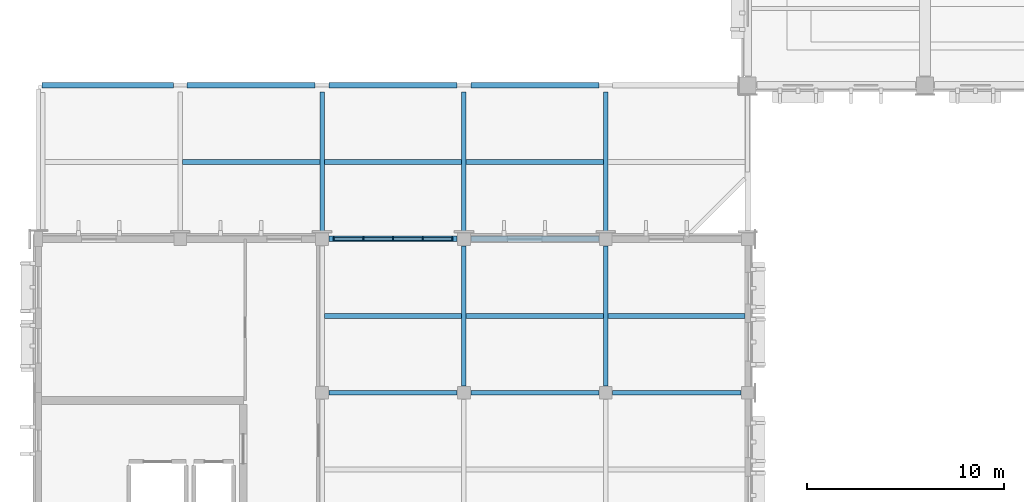
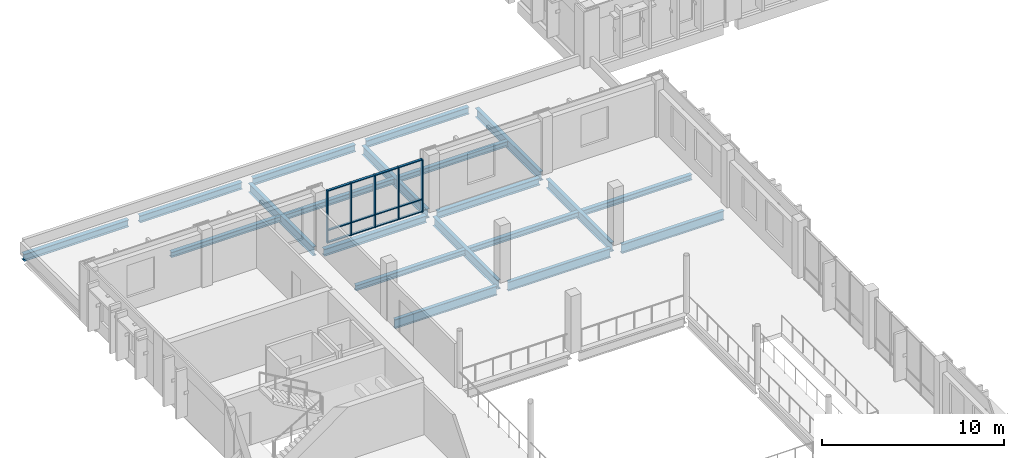
# One storey, part 27 of 85: 20 beams, 17 members, 1 element without a shape of its own.
"""IFC4 building model written with IfcOpenShell, lengths in metres."""

from ifc_helpers import new_model, si_unit, direction, frame, origin, origin_2d, place, context, subcontext, project, spatial, rectangle, i_section, extrude, material, material_profile, profile_set, type_object, element, aggregate, save


model = new_model("IFC4")

# Units and contexts
model_context = context("Model", 3, precision=1e-05, world=origin(), true_north=direction((0.0, 1.0)))
body_context = subcontext(model_context, "Body", "Model", "MODEL_VIEW")
ifc_project = project(units=[si_unit("LENGTHUNIT", "METRE"), si_unit("AREAUNIT", "SQUARE_METRE"), si_unit("VOLUMEUNIT", "CUBIC_METRE"), si_unit("PLANEANGLEUNIT", "RADIAN"), si_unit("MASSUNIT", "GRAM", prefix="KILO")], contexts=[model_context])

# Site, building, storey
site_placement = place(None, origin())
site = spatial("IfcSite", under=ifc_project, at=site_placement, CompositionType="ELEMENT")
building_placement = place(site_placement, origin())
building = spatial("IfcBuilding", under=site, at=building_placement, Name="Vervanel Yard Central Library", CompositionType="ELEMENT")
storey_placement = place(building_placement, frame((0.0, 0.0, 5.10009765625)))
storey = spatial("IfcBuildingStorey", under=building, at=storey_placement, Name="L01", CompositionType="ELEMENT", Elevation=5.10009765625)

# Curtain wall, members
ifc_material_1 = material(Name="Thermally broken anodized aluminium 6063-T6", Category="aluminium")
curtain_wall_type = type_object("IfcCurtainWallType", Name="Atrium Courtyard Curtain Wall", PredefinedType="NOTDEFINED", material=ifc_material_1)
curtain_wall_placement = place(storey_placement, origin())
curtain_wall = element("IfcCurtainWall", 1, at=curtain_wall_placement, inside=storey, type_object=curtain_wall_type, Name="L01 Atrium Courtyard Curtain Wall CWR-L01-032", PredefinedType="NOTDEFINED")
ifc_material_profile_1 = material_profile(ifc_material_1, rectangle(XDim=0.06494140625, YDim=0.18994140625, at=origin_2d()), Name="ALU 65x190", Category="aluminium")
ifc_profile_set_1 = profile_set([ifc_material_profile_1], Name="Thermally broken anodized aluminium 6063-T6")
member_type_1 = type_object("IfcMemberType", Name="Curtain Wall Primary Mullion 65x190", PredefinedType="MULLION", material=ifc_profile_set_1)
member_1_placement = place(storey_placement, frame((14.992431640625, 74.39990234375, 0.0), z_axis=(0.0, 0.0, 1.0), x_axis=(1.0, 0.0, 0.0)))
member_1 = element("IfcMember", 2, at=member_1_placement, type_object=member_type_1, Name="CWR-L01-032 Mullion 1", PredefinedType="MULLION", context=body_context, shape_type="SweptSolid", body=[
    extrude(rectangle(XDim=0.06494140625, YDim=0.18994140625, at=origin_2d()), origin(), (0.0, 0.0, 1.0), 3.52978515625),
])
member_2_placement = place(storey_placement, frame((16.496337890625, 74.39990234375, 0.0), z_axis=(0.0, 0.0, 1.0), x_axis=(1.0, 0.0, 0.0)))
member_2 = element("IfcMember", 3, at=member_2_placement, type_object=member_type_1, Name="CWR-L01-032 Mullion 2", PredefinedType="MULLION", context=body_context, shape_type="SweptSolid", body=[
    extrude(rectangle(XDim=0.06494140625, YDim=0.18994140625, at=origin_2d()), origin(), (0.0, 0.0, 1.0), 3.52978515625),
])
member_3_placement = place(storey_placement, frame((18.0, 74.39990234375, 0.0), z_axis=(0.0, 0.0, 1.0), x_axis=(1.0, 0.0, 0.0)))
member_3 = element("IfcMember", 4, at=member_3_placement, type_object=member_type_1, Name="CWR-L01-032 Mullion 3", PredefinedType="MULLION", context=body_context, shape_type="SweptSolid", body=[
    extrude(rectangle(XDim=0.06494140625, YDim=0.18994140625, at=origin_2d()), origin(), (0.0, 0.0, 1.0), 3.52978515625),
])
member_4_placement = place(storey_placement, frame((19.503662109375, 74.39990234375, 0.0), z_axis=(0.0, 0.0, 1.0), x_axis=(1.0, 0.0, 0.0)))
member_4 = element("IfcMember", 5, at=member_4_placement, type_object=member_type_1, Name="CWR-L01-032 Mullion 4", PredefinedType="MULLION", context=body_context, shape_type="SweptSolid", body=[
    extrude(rectangle(XDim=0.06494140625, YDim=0.18994140625, at=origin_2d()), origin(), (0.0, 0.0, 1.0), 3.52978515625),
])
member_5_placement = place(storey_placement, frame((21.007568359375, 74.39990234375, 0.0), z_axis=(0.0, 0.0, 1.0), x_axis=(1.0, 0.0, 0.0)))
member_5 = element("IfcMember", 6, at=member_5_placement, type_object=member_type_1, Name="CWR-L01-032 Mullion 5", PredefinedType="MULLION", context=body_context, shape_type="SweptSolid", body=[
    extrude(rectangle(XDim=0.06494140625, YDim=0.18994140625, at=origin_2d()), origin(), (0.0, 0.0, 1.0), 3.52978515625),
])
ifc_material_profile_2 = material_profile(ifc_material_1, rectangle(XDim=0.06494140625, YDim=0.139892578125, at=origin_2d()), Name="ALU 65x140", Category="aluminium")
ifc_profile_set_2 = profile_set([ifc_material_profile_2], Name="Thermally broken anodized aluminium 6063-T6")
member_type_2 = type_object("IfcMemberType", Name="Curtain Wall Transom 65x140", PredefinedType="NOTDEFINED", material=ifc_profile_set_2)
member_6_placement = place(storey_placement, frame((15.02490234375, 74.39990234375, 0.032470703125), z_axis=(1.0, 0.0, 0.0), x_axis=(0.0, 0.0, 1.0)))
member_6 = element("IfcMember", 7, at=member_6_placement, type_object=member_type_2, Name="CWR-L01-032 Transom B1-T1", ObjectType="TRANSOM", PredefinedType="USERDEFINED", context=body_context, shape_type="SweptSolid", body=[
    extrude(rectangle(XDim=0.06494140625, YDim=0.139892578125, at=origin_2d()), origin(), (0.0, 0.0, 1.0), 1.43896484375),
])
member_7_placement = place(storey_placement, frame((15.02490234375, 74.39990234375, 0.849853515625), z_axis=(1.0, 0.0, 0.0), x_axis=(0.0, 0.0, 1.0)))
member_7 = element("IfcMember", 8, at=member_7_placement, type_object=member_type_2, Name="CWR-L01-032 Transom B1-T2", ObjectType="TRANSOM", PredefinedType="USERDEFINED", context=body_context, shape_type="SweptSolid", body=[
    extrude(rectangle(XDim=0.06494140625, YDim=0.139892578125, at=origin_2d()), origin(), (0.0, 0.0, 1.0), 1.43896484375),
])
member_8_placement = place(storey_placement, frame((15.02490234375, 74.39990234375, 3.497314453125), z_axis=(1.0, 0.0, 0.0), x_axis=(0.0, 0.0, 1.0)))
member_8 = element("IfcMember", 9, at=member_8_placement, type_object=member_type_2, Name="CWR-L01-032 Transom B1-T3", ObjectType="TRANSOM", PredefinedType="USERDEFINED", context=body_context, shape_type="SweptSolid", body=[
    extrude(rectangle(XDim=0.06494140625, YDim=0.139892578125, at=origin_2d()), origin(), (0.0, 0.0, 1.0), 1.43896484375),
])
member_9_placement = place(storey_placement, frame((16.52880859375, 74.39990234375, 0.032470703125), z_axis=(1.0, 0.0, 0.0), x_axis=(0.0, 0.0, 1.0)))
member_9 = element("IfcMember", 10, at=member_9_placement, type_object=member_type_2, Name="CWR-L01-032 Transom B2-T1", ObjectType="TRANSOM", PredefinedType="USERDEFINED", context=body_context, shape_type="SweptSolid", body=[
    extrude(rectangle(XDim=0.06494140625, YDim=0.139892578125, at=origin_2d()), origin(), (0.0, 0.0, 1.0), 1.438720703125),
])
member_10_placement = place(storey_placement, frame((16.52880859375, 74.39990234375, 0.849853515625), z_axis=(1.0, 0.0, 0.0), x_axis=(0.0, 0.0, 1.0)))
member_10 = element("IfcMember", 11, at=member_10_placement, type_object=member_type_2, Name="CWR-L01-032 Transom B2-T2", ObjectType="TRANSOM", PredefinedType="USERDEFINED", context=body_context, shape_type="SweptSolid", body=[
    extrude(rectangle(XDim=0.06494140625, YDim=0.139892578125, at=origin_2d()), origin(), (0.0, 0.0, 1.0), 1.438720703125),
])
member_11_placement = place(storey_placement, frame((16.52880859375, 74.39990234375, 3.497314453125), z_axis=(1.0, 0.0, 0.0), x_axis=(0.0, 0.0, 1.0)))
member_11 = element("IfcMember", 12, at=member_11_placement, type_object=member_type_2, Name="CWR-L01-032 Transom B2-T3", ObjectType="TRANSOM", PredefinedType="USERDEFINED", context=body_context, shape_type="SweptSolid", body=[
    extrude(rectangle(XDim=0.06494140625, YDim=0.139892578125, at=origin_2d()), origin(), (0.0, 0.0, 1.0), 1.438720703125),
])
member_12_placement = place(storey_placement, frame((18.032470703125, 74.39990234375, 0.032470703125), z_axis=(1.0, 0.0, 0.0), x_axis=(0.0, 0.0, 1.0)))
member_12 = element("IfcMember", 13, at=member_12_placement, type_object=member_type_2, Name="CWR-L01-032 Transom B3-T1", ObjectType="TRANSOM", PredefinedType="USERDEFINED", context=body_context, shape_type="SweptSolid", body=[
    extrude(rectangle(XDim=0.06494140625, YDim=0.139892578125, at=origin_2d()), origin(), (0.0, 0.0, 1.0), 1.438720703125),
])
member_13_placement = place(storey_placement, frame((18.032470703125, 74.39990234375, 0.849853515625), z_axis=(1.0, 0.0, 0.0), x_axis=(0.0, 0.0, 1.0)))
member_13 = element("IfcMember", 14, at=member_13_placement, type_object=member_type_2, Name="CWR-L01-032 Transom B3-T2", ObjectType="TRANSOM", PredefinedType="USERDEFINED", context=body_context, shape_type="SweptSolid", body=[
    extrude(rectangle(XDim=0.06494140625, YDim=0.139892578125, at=origin_2d()), origin(), (0.0, 0.0, 1.0), 1.438720703125),
])
member_14_placement = place(storey_placement, frame((18.032470703125, 74.39990234375, 3.497314453125), z_axis=(1.0, 0.0, 0.0), x_axis=(0.0, 0.0, 1.0)))
member_14 = element("IfcMember", 15, at=member_14_placement, type_object=member_type_2, Name="CWR-L01-032 Transom B3-T3", ObjectType="TRANSOM", PredefinedType="USERDEFINED", context=body_context, shape_type="SweptSolid", body=[
    extrude(rectangle(XDim=0.06494140625, YDim=0.139892578125, at=origin_2d()), origin(), (0.0, 0.0, 1.0), 1.438720703125),
])
member_15_placement = place(storey_placement, frame((19.5361328125, 74.39990234375, 0.032470703125), z_axis=(1.0, 0.0, 0.0), x_axis=(0.0, 0.0, 1.0)))
member_15 = element("IfcMember", 16, at=member_15_placement, type_object=member_type_2, Name="CWR-L01-032 Transom B4-T1", ObjectType="TRANSOM", PredefinedType="USERDEFINED", context=body_context, shape_type="SweptSolid", body=[
    extrude(rectangle(XDim=0.06494140625, YDim=0.139892578125, at=origin_2d()), origin(), (0.0, 0.0, 1.0), 1.43896484375),
])
member_16_placement = place(storey_placement, frame((19.5361328125, 74.39990234375, 0.849853515625), z_axis=(1.0, 0.0, 0.0), x_axis=(0.0, 0.0, 1.0)))
member_16 = element("IfcMember", 17, at=member_16_placement, type_object=member_type_2, Name="CWR-L01-032 Transom B4-T2", ObjectType="TRANSOM", PredefinedType="USERDEFINED", context=body_context, shape_type="SweptSolid", body=[
    extrude(rectangle(XDim=0.06494140625, YDim=0.139892578125, at=origin_2d()), origin(), (0.0, 0.0, 1.0), 1.43896484375),
])
member_17_placement = place(storey_placement, frame((19.5361328125, 74.39990234375, 3.497314453125), z_axis=(1.0, 0.0, 0.0), x_axis=(0.0, 0.0, 1.0)))
member_17 = element("IfcMember", 18, at=member_17_placement, type_object=member_type_2, Name="CWR-L01-032 Transom B4-T3", ObjectType="TRANSOM", PredefinedType="USERDEFINED", context=body_context, shape_type="SweptSolid", body=[
    extrude(rectangle(XDim=0.06494140625, YDim=0.139892578125, at=origin_2d()), origin(), (0.0, 0.0, 1.0), 1.43896484375),
])
aggregate(curtain_wall, [member_1, member_2, member_3, member_4, member_5, member_6, member_7, member_8, member_9, member_10, member_11, member_12, member_13, member_14, member_15, member_16, member_17])

# Beams
ifc_material_2 = material(Name="Steel ASTM A992 Grade 50", Category="steel")
ifc_material_profile_3 = material_profile(ifc_material_2, i_section(OverallWidth=0.25390625, OverallDepth=0.355712890625, WebThickness=0.010498046875, FlangeThickness=0.018310546875, at=origin_2d()), Name="W14X68", Category="steel")
ifc_profile_set_3 = profile_set([ifc_material_profile_3], Name="Steel ASTM A992 Grade 50")
beam_type_1 = type_object("IfcBeamType", Name="Steel Atrium Edge Joist W14X68", PredefinedType="JOIST", material=ifc_profile_set_3)
for number, where, z_axis, x_axis, name in (
    (19, (7.314697265625, 78.300048828125, -0.432861328125), (1.0, 0.0, 0.0), (0.0, 1.0, 0.0), "L01 Floor Joist SJ-06 Y=78.30 X=7.2-14.4"),
    (20, (14.5146484375, 70.5, -0.462890625), (1.0, 0.0, 0.0), (0.0, 1.0, 0.0), "L01 Floor Joist SJ-06 Y=70.50 X=14.4-21.6"),
    (21, (14.5146484375, 78.300048828125, -0.432861328125), (1.0, 0.0, 0.0), (0.0, 1.0, 0.0), "L01 Floor Joist SJ-06 Y=78.30 X=14.4-21.6"),
    (22, (21.714599609375, 70.5, -0.462890625), (1.0, 0.0, 0.0), (0.0, 1.0, 0.0), "L01 Floor Joist SJ-06 Y=70.50 X=21.6-28.8"),
    (23, (21.714599609375, 78.300048828125, -0.432861328125), (1.0, 0.0, 0.0), (0.0, 1.0, 0.0), "L01 Floor Joist SJ-06 Y=78.30 X=21.6-28.8"),
):
    element("IfcBeam", number, at=place(storey_placement, frame(where, z_axis=z_axis, x_axis=x_axis)), inside=storey, type_object=beam_type_1, Name=name, PredefinedType="JOIST", context=body_context, shape_type="SweptSolid", body=[
        extrude(i_section(OverallWidth=0.25390625, OverallDepth=0.355712890625, WebThickness=0.010498046875, FlangeThickness=0.018310546875, at=origin_2d()), origin(), (0.0, 0.0, 1.0), 6.970703125),
    ])
beam_1_placement = place(storey_placement, frame((28.91455078125, 70.5, -0.462890625), z_axis=(1.0, 0.0, 0.0), x_axis=(0.0, 1.0, 0.0)))
element("IfcBeam", 24, at=beam_1_placement, inside=storey, type_object=beam_type_1, Name="L01 Floor Joist SJ-06 Y=70.50 X=28.8-36.0", PredefinedType="JOIST", context=body_context, shape_type="SweptSolid", body=[
    extrude(i_section(OverallWidth=0.25390625, OverallDepth=0.355712890625, WebThickness=0.010498046875, FlangeThickness=0.018310546875, at=origin_2d()), origin(), (0.0, 0.0, 1.0), 6.9443359375),
])
ifc_material_profile_4 = material_profile(ifc_material_2, i_section(OverallWidth=0.22900390625, OverallDepth=0.612060546875, WebThickness=0.011962890625, FlangeThickness=0.01953125, at=origin_2d()), Name="W24X84", Category="steel")
ifc_profile_set_4 = profile_set([ifc_material_profile_4], Name="Steel ASTM A992 Grade 50")
beam_type_2 = type_object("IfcBeamType", Name="Steel Primary Girder W24X84", PredefinedType="BEAM", material=ifc_profile_set_4)
for number, where, z_axis, x_axis, name in (
    (25, (14.75, 66.60009765625, -0.591064453125), (1.0, 0.0, 0.0), (0.0, 1.0, 0.0), "L01 Girder SB-01 Y=66.6 X=14.4-21.6"),
    (26, (21.949951171875, 66.60009765625, -0.591064453125), (1.0, 0.0, 0.0), (0.0, 1.0, 0.0), "L01 Girder SB-01 Y=66.6 X=21.6-28.8"),
    (27, (29.14990234375, 66.60009765625, -0.591064453125), (1.0, 0.0, 0.0), (0.0, 1.0, 0.0), "L01 Girder SB-01 Y=66.6 X=28.8-36.0"),
):
    element("IfcBeam", number, at=place(storey_placement, frame(where, z_axis=z_axis, x_axis=x_axis)), inside=storey, type_object=beam_type_2, Name=name, PredefinedType="BEAM", context=body_context, shape_type="SweptSolid", body=[
        extrude(i_section(OverallWidth=0.22900390625, OverallDepth=0.612060546875, WebThickness=0.011962890625, FlangeThickness=0.01953125, at=origin_2d()), origin(), (0.0, 0.0, 1.0), 6.5),
    ])
for number, where, z_axis, x_axis, name in (
    (28, (14.39990234375, 74.75, -0.561279296875), (0.0, 1.0, 0.0), (-1.0, 0.0, 0.0), "L01 Girder SB-01 X=14.4 Y=74.4-82.2"),
    (29, (21.60009765625, 66.949951171875, -0.591064453125), (0.0, 1.0, 0.0), (-1.0, 0.0, 0.0), "L01 Girder SB-01 X=21.6 Y=66.6-74.4"),
    (30, (21.60009765625, 74.75, -0.561279296875), (0.0, 1.0, 0.0), (-1.0, 0.0, 0.0), "L01 Girder SB-01 X=21.6 Y=74.4-82.2"),
    (31, (28.800048828125, 66.949951171875, -0.591064453125), (0.0, 1.0, 0.0), (-1.0, 0.0, 0.0), "L01 Girder SB-01 X=28.8 Y=66.6-74.4"),
    (32, (28.800048828125, 74.75, -0.561279296875), (0.0, 1.0, 0.0), (-1.0, 0.0, 0.0), "L01 Girder SB-01 X=28.8 Y=74.4-82.2"),
):
    element("IfcBeam", number, at=place(storey_placement, frame(where, z_axis=z_axis, x_axis=x_axis)), inside=storey, type_object=beam_type_2, Name=name, PredefinedType="BEAM", context=body_context, shape_type="SweptSolid", body=[
        extrude(i_section(OverallWidth=0.22900390625, OverallDepth=0.612060546875, WebThickness=0.011962890625, FlangeThickness=0.01953125, at=origin_2d()), origin(), (0.0, 0.0, 1.0), 7.10009765625),
    ])
ifc_material_profile_5 = material_profile(ifc_material_2, i_section(OverallWidth=0.281982421875, OverallDepth=0.46728515625, WebThickness=0.01220703125, FlangeThickness=0.01953125, at=origin_2d()), Name="W18X86", Category="steel")
ifc_profile_set_5 = profile_set([ifc_material_profile_5], Name="Steel ASTM A992 Grade 50")
beam_type_3 = type_object("IfcBeamType", Name="Steel Spandrel Beam W18X86", PredefinedType="SPANDREL", material=ifc_profile_set_5)
for number, where, z_axis, x_axis, name in (
    (33, (14.75, 74.39990234375, -0.518798828125), (1.0, 0.0, 0.0), (0.0, 1.0, 0.0), "L01 Girder SP-02 Y=74.4 X=14.4-21.6"),
    (34, (21.949951171875, 74.39990234375, -0.518798828125), (1.0, 0.0, 0.0), (0.0, 1.0, 0.0), "L01 Girder SP-02 Y=74.4 X=21.6-28.8"),
):
    element("IfcBeam", number, at=place(storey_placement, frame(where, z_axis=z_axis, x_axis=x_axis)), inside=storey, type_object=beam_type_3, Name=name, PredefinedType="SPANDREL", context=body_context, shape_type="SweptSolid", body=[
        extrude(i_section(OverallWidth=0.281982421875, OverallDepth=0.46728515625, WebThickness=0.01220703125, FlangeThickness=0.01953125, at=origin_2d()), origin(), (0.0, 0.0, 1.0), 6.5),
    ])
beam_2_placement = place(storey_placement, frame((0.18994140625, 82.199951171875, -0.48876953125), z_axis=(1.0, 0.0, 0.0), x_axis=(0.0, 1.0, 0.0)))
element("IfcBeam", 35, at=beam_2_placement, inside=storey, type_object=beam_type_3, Name="L01 Girder SP-02 Y=82.2 X=0.0-7.2", PredefinedType="SPANDREL", context=body_context, shape_type="SweptSolid", body=[
    extrude(i_section(OverallWidth=0.281982421875, OverallDepth=0.46728515625, WebThickness=0.01220703125, FlangeThickness=0.01953125, at=origin_2d()), origin(), (0.0, 0.0, 1.0), 6.66015625),
])
for number, where, z_axis, x_axis, name in (
    (36, (7.550048828125, 82.199951171875, -0.48876953125), (1.0, 0.0, 0.0), (0.0, 1.0, 0.0), "L01 Girder SP-02 Y=82.2 X=7.2-14.4"),
    (37, (14.75, 82.199951171875, -0.48876953125), (1.0, 0.0, 0.0), (0.0, 1.0, 0.0), "L01 Girder SP-02 Y=82.2 X=14.4-21.6"),
    (38, (21.949951171875, 82.199951171875, -0.48876953125), (1.0, 0.0, 0.0), (0.0, 1.0, 0.0), "L01 Girder SP-02 Y=82.2 X=21.6-28.8"),
):
    element("IfcBeam", number, at=place(storey_placement, frame(where, z_axis=z_axis, x_axis=x_axis)), inside=storey, type_object=beam_type_3, Name=name, PredefinedType="SPANDREL", context=body_context, shape_type="SweptSolid", body=[
        extrude(i_section(OverallWidth=0.281982421875, OverallDepth=0.46728515625, WebThickness=0.01220703125, FlangeThickness=0.01953125, at=origin_2d()), origin(), (0.0, 0.0, 1.0), 6.5),
    ])

save(model, "model.ifc")
